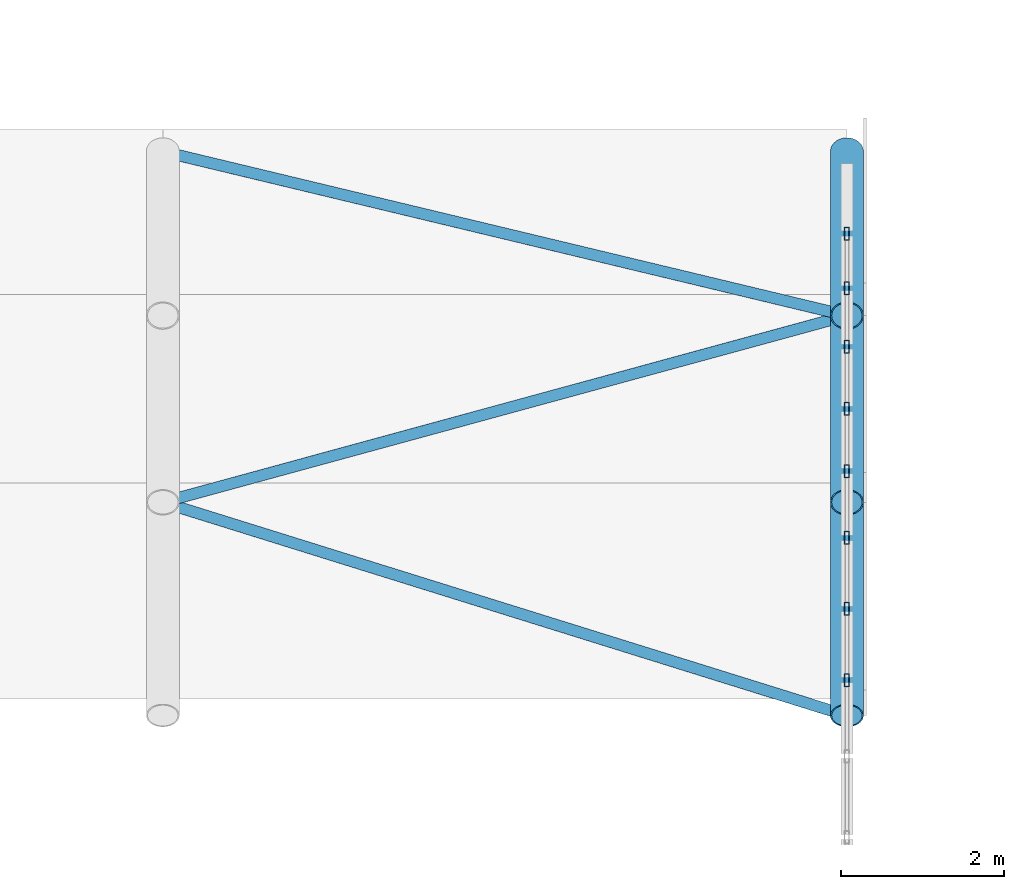
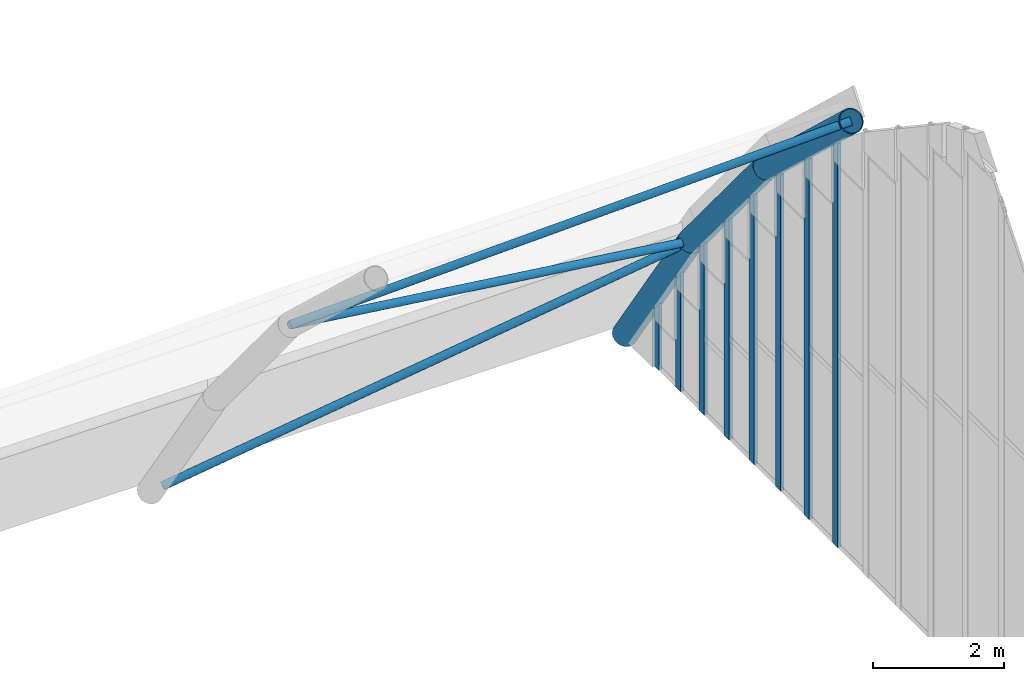
# One storey, part 26 of 77: 14 members, 1 element without a shape of its own.
"""IFC4 building model written with IfcOpenShell, lengths in metres."""

from ifc_helpers import new_model, si_unit, direction, frame, origin, origin_2d, place, context, subcontext, project, spatial, hollow_rectangle, hollow_circle, extrude, material, material_profile, profile_set, type_object, element, aggregate, save


model = new_model("IFC4")

# Units and contexts
model_context = context("Model", 3, precision=1e-05, world=origin(), true_north=direction((0.0, 1.0)))
body_context = subcontext(model_context, "Body", "Model", "MODEL_VIEW")
ifc_project = project(units=[si_unit("LENGTHUNIT", "METRE"), si_unit("AREAUNIT", "SQUARE_METRE"), si_unit("VOLUMEUNIT", "CUBIC_METRE"), si_unit("PLANEANGLEUNIT", "RADIAN"), si_unit("MASSUNIT", "GRAM", prefix="KILO")], contexts=[model_context])

# Site, building, storey
site_placement = place(None, origin())
site = spatial("IfcSite", under=ifc_project, at=site_placement, CompositionType="ELEMENT")
building_placement = place(site_placement, origin())
building = spatial("IfcBuilding", under=site, at=building_placement, Name="Catenary Quay Ferry Terminal", CompositionType="ELEMENT")
storey_placement = place(building_placement, frame((0.0, 0.0, 10.800048828125)))
storey = spatial("IfcBuildingStorey", under=building, at=storey_placement, Name="L02", CompositionType="ELEMENT", Elevation=10.800048828125)

# Members
ifc_material_1 = material(Name="Steel S355", Category="steel")
ifc_material_profile_1 = material_profile(ifc_material_1, hollow_circle(Radius=0.06982421875, WallThickness=0.008056640625, at=origin_2d()), Name="CHS 139.7x8")
ifc_profile_set_1 = profile_set([ifc_material_profile_1], Name="Steel S355")
member_type_1 = type_object("IfcMemberType", Name="BR1 CHS 139.7x8", PredefinedType="BRACE", material=ifc_profile_set_1)
member_1_placement = place(storey_placement, frame((92.39990234375, 135.8740234375, 8.18994140625), z_axis=(-0.919550687258, 0.286694769, -0.268761312302), x_axis=(-0.297646119509, -0.954676273687, 0.0)))
element("IfcMember", 1, at=member_1_placement, inside=storey, type_object=member_type_1, Name="Roof brace BR-VD-08-10", PredefinedType="BRACE", context=body_context, shape_type="SweptSolid", body=[
    extrude(hollow_circle(Radius=0.06982421875, WallThickness=0.008056640625, at=origin_2d()), origin(), (0.0, 0.0, 1.0), 9.134765625),
])
member_2_placement = place(storey_placement, frame((84.0, 138.492919921875, 5.73486328125), z_axis=(0.919515246298, 0.250898364595, -0.302558626499), x_axis=(-0.263236033001, 0.964731460527, 0.0)))
element("IfcMember", 2, at=member_2_placement, inside=storey, type_object=member_type_1, Name="Roof brace BR-VD-08-11", PredefinedType="BRACE", context=body_context, shape_type="SweptSolid", body=[
    extrude(hollow_circle(Radius=0.06982421875, WallThickness=0.008056640625, at=origin_2d()), origin(), (0.0, 0.0, 1.0), 9.13525390625),
])
member_3_placement = place(storey_placement, frame((92.39990234375, 140.784912109375, 2.970947265625), z_axis=(-0.919546095424, 0.220563009945, -0.325249038483), x_axis=(-0.233244909863, -0.972418023292, 0.0)))
element("IfcMember", 3, at=member_3_placement, inside=storey, type_object=member_type_1, Name="Roof brace BR-VD-08-12", PredefinedType="BRACE", context=body_context, shape_type="SweptSolid", body=[
    extrude(hollow_circle(Radius=0.06982421875, WallThickness=0.008056640625, at=origin_2d()), origin(), (0.0, 0.0, 1.0), 8.922607421875),
])

# Curtain wall, members
ifc_material_2 = material(Name="Aluminium and glass", Category="aluminium")
curtain_wall_type = type_object("IfcCurtainWallType", Name="CWA", PredefinedType="NOTDEFINED", material=ifc_material_2)
curtain_wall_placement = place(storey_placement, origin())
curtain_wall = element("IfcCurtainWall", 4, at=curtain_wall_placement, inside=storey, type_object=curtain_wall_type, Name="Arch departure hall curtain wall CW21", PredefinedType="NOTDEFINED")
ifc_material_3 = material(Name="Aluminium", Category="aluminium")
ifc_material_profile_2 = material_profile(ifc_material_3, hollow_rectangle(XDim=0.06005859375, YDim=0.159912109375, WallThickness=0.006103515625, at=origin_2d()), Name="MU5")
ifc_profile_set_2 = profile_set([ifc_material_profile_2], Name="Aluminium")
member_type_2 = type_object("IfcMemberType", Name="MU5", PredefinedType="MULLION", material=ifc_profile_set_2)
member_4_placement = place(storey_placement, frame((92.39990234375, 136.310546875, 0.0), z_axis=(0.0, 0.0, 1.0), x_axis=(-1.0, 0.0, 0.0)))
member_4 = element("IfcMember", 5, at=member_4_placement, type_object=member_type_2, Name="CW21 mullion 27", PredefinedType="MULLION", context=body_context, shape_type="SweptSolid", body=[
    extrude(hollow_rectangle(XDim=0.06005859375, YDim=0.159912109375, WallThickness=0.006103515625, at=origin_2d()), origin(), (0.0, 0.0, 1.0), 7.560791015625),
])
member_5_placement = place(storey_placement, frame((92.39990234375, 137.18359375, 0.0), z_axis=(0.0, 0.0, 1.0), x_axis=(-1.0, 0.0, 0.0)))
member_5 = element("IfcMember", 6, at=member_5_placement, type_object=member_type_2, Name="CW21 mullion 28", PredefinedType="MULLION", context=body_context, shape_type="SweptSolid", body=[
    extrude(hollow_rectangle(XDim=0.06005859375, YDim=0.159912109375, WallThickness=0.006103515625, at=origin_2d()), origin(), (0.0, 0.0, 1.0), 6.742431640625),
])
member_6_placement = place(storey_placement, frame((92.39990234375, 138.056396484375, 0.0), z_axis=(0.0, 0.0, 1.0), x_axis=(-1.0, 0.0, 0.0)))
member_6 = element("IfcMember", 7, at=member_6_placement, type_object=member_type_2, Name="CW21 mullion 29", PredefinedType="MULLION", context=body_context, shape_type="SweptSolid", body=[
    extrude(hollow_rectangle(XDim=0.06005859375, YDim=0.159912109375, WallThickness=0.006103515625, at=origin_2d()), origin(), (0.0, 0.0, 1.0), 5.924072265625),
])
member_7_placement = place(storey_placement, frame((92.39990234375, 138.875, 0.0), z_axis=(0.0, 0.0, 1.0), x_axis=(-1.0, 0.0, 0.0)))
member_7 = element("IfcMember", 8, at=member_7_placement, type_object=member_type_2, Name="CW21 mullion 30", PredefinedType="MULLION", context=body_context, shape_type="SweptSolid", body=[
    extrude(hollow_rectangle(XDim=0.06005859375, YDim=0.159912109375, WallThickness=0.006103515625, at=origin_2d()), origin(), (0.0, 0.0, 1.0), 5.05419921875),
])
member_8_placement = place(storey_placement, frame((92.39990234375, 139.638916015625, 0.0), z_axis=(0.0, 0.0, 1.0), x_axis=(-1.0, 0.0, 0.0)))
member_8 = element("IfcMember", 9, at=member_8_placement, type_object=member_type_2, Name="CW21 mullion 31", PredefinedType="MULLION", context=body_context, shape_type="SweptSolid", body=[
    extrude(hollow_rectangle(XDim=0.06005859375, YDim=0.159912109375, WallThickness=0.006103515625, at=origin_2d()), origin(), (0.0, 0.0, 1.0), 4.133056640625),
])
member_9_placement = place(storey_placement, frame((92.39990234375, 140.403076171875, 0.0), z_axis=(0.0, 0.0, 1.0), x_axis=(-1.0, 0.0, 0.0)))
member_9 = element("IfcMember", 10, at=member_9_placement, type_object=member_type_2, Name="CW21 mullion 32", PredefinedType="MULLION", context=body_context, shape_type="SweptSolid", body=[
    extrude(hollow_rectangle(XDim=0.06005859375, YDim=0.159912109375, WallThickness=0.006103515625, at=origin_2d()), origin(), (0.0, 0.0, 1.0), 3.211669921875),
])
member_10_placement = place(storey_placement, frame((92.39990234375, 141.120849609375, 0.0), z_axis=(0.0, 0.0, 1.0), x_axis=(-1.0, 0.0, 0.0)))
member_10 = element("IfcMember", 11, at=member_10_placement, type_object=member_type_2, Name="CW21 mullion 33", PredefinedType="MULLION", context=body_context, shape_type="SweptSolid", body=[
    extrude(hollow_rectangle(XDim=0.06005859375, YDim=0.159912109375, WallThickness=0.006103515625, at=origin_2d()), origin(), (0.0, 0.0, 1.0), 2.255859375),
])
member_11_placement = place(storey_placement, frame((92.39990234375, 141.79248046875, 0.0), z_axis=(0.0, 0.0, 1.0), x_axis=(-1.0, 0.0, 0.0)))
member_11 = element("IfcMember", 12, at=member_11_placement, type_object=member_type_2, Name="CW21 mullion 34", PredefinedType="MULLION", context=body_context, shape_type="SweptSolid", body=[
    extrude(hollow_rectangle(XDim=0.06005859375, YDim=0.159912109375, WallThickness=0.006103515625, at=origin_2d()), origin(), (0.0, 0.0, 1.0), 1.265380859375),
])
aggregate(curtain_wall, [member_4, member_5, member_6, member_7, member_8, member_9, member_10, member_11])

# Members
ifc_material_4 = material(Name="Steel S355", Category="steel")
ifc_material_profile_3 = material_profile(ifc_material_4, hollow_circle(Radius=0.203125, WallThickness=0.01611328125, at=origin_2d()), Name="CHS 406.4x16")
ifc_profile_set_3 = profile_set([ifc_material_profile_3], Name="Steel S355")
member_type_3 = type_object("IfcMemberType", Name="VR3 CHS 406.4x16", PredefinedType="RAFTER", material=ifc_profile_set_3)
member_12_placement = place(storey_placement, frame((92.39990234375, 135.8740234375, 8.18994140625), z_axis=(0.0, 0.729556292242, -0.683920767669), x_axis=(-1.0, 0.0, 0.0)))
element("IfcMember", 13, at=member_12_placement, inside=storey, type_object=member_type_3, Name="Vault rib VD-09-10", PredefinedType="RAFTER", context=body_context, shape_type="SweptSolid", body=[
    extrude(hollow_circle(Radius=0.203125, WallThickness=0.01611328125, at=origin_2d()), origin(), (0.0, 0.0, 1.0), 3.589599609375),
])
member_13_placement = place(storey_placement, frame((92.39990234375, 138.492919921875, 5.73486328125), z_axis=(0.0, 0.638329973705, -0.769762849629), x_axis=(-1.0, 0.0, 0.0)))
element("IfcMember", 14, at=member_13_placement, inside=storey, type_object=member_type_3, Name="Vault rib VD-09-11", PredefinedType="RAFTER", context=body_context, shape_type="SweptSolid", body=[
    extrude(hollow_circle(Radius=0.203125, WallThickness=0.01611328125, at=origin_2d()), origin(), (0.0, 0.0, 1.0), 3.590576171875),
])
member_14_placement = place(storey_placement, frame((92.39990234375, 140.784912109375, 2.970947265625), z_axis=(0.0, 0.561336762899, -0.827587480945), x_axis=(-1.0, 0.0, 0.0)))
element("IfcMember", 15, at=member_14_placement, inside=storey, type_object=member_type_3, Name="Vault rib VD-09-12", PredefinedType="RAFTER", context=body_context, shape_type="SweptSolid", body=[
    extrude(hollow_circle(Radius=0.203125, WallThickness=0.01611328125, at=origin_2d()), origin(), (0.0, 0.0, 1.0), 3.58984375),
])

save(model, "model.ifc")
